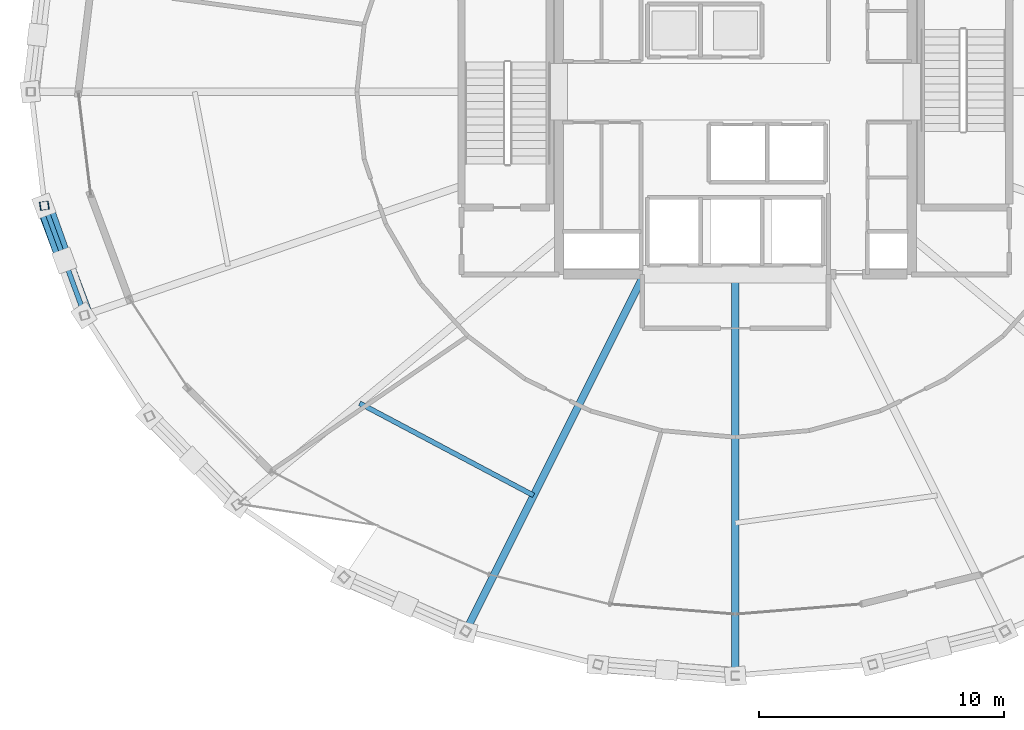
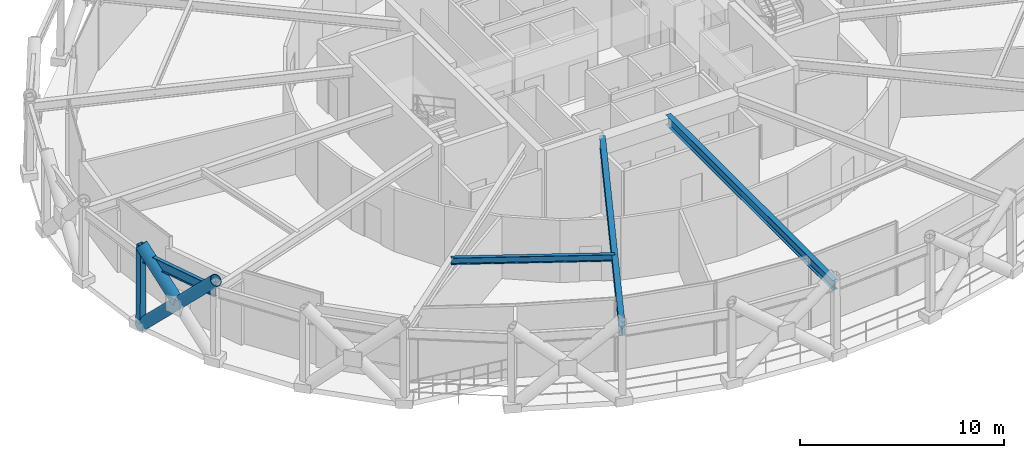
# One storey, part 6 of 39: 4 beams, 3 members.
"""IFC4 building model written with IfcOpenShell, lengths in metres."""

import ifcopenshell
import ifcopenshell.guid

model = None  # the IFC model being written
_history = None  # IfcOwnerHistory: only IFC2X3 demands one
_inside = {}  # id of a spatial element -> (the spatial element, [elements in it])
_under = {}  # id of a project, library or spatial element -> (it, [spatial elements below it])
_declared = {}  # id of a project -> (the project, [libraries it declares])
_typed = {}  # id of a type object -> (the type object, [elements of that type])
_made_of = {}  # id of a material, layer set ... -> (it, [elements and type objects made of it])


def new_model(schema):
    """Start an empty IFC model of exactly this schema.

    Asked for "IFC4X3", IfcOpenShell would pick the latest addendum, in which some entities
    have other attributes; the version numbers below select the first issue.
    IFC2X3 requires an IfcOwnerHistory on every rooted entity: one is made here for all.
    """
    global model, _history
    if schema == "IFC4X3":
        model = ifcopenshell.file(schema_version=(4, 3, 0, 0))
    else:
        model = ifcopenshell.file(schema=schema)
    _inside.clear()
    _under.clear()
    _declared.clear()
    _typed.clear()
    _made_of.clear()
    _history = None
    if model.schema == "IFC2X3":
        org = make("IfcOrganization", Name="unknown")
        user = make(
            "IfcPersonAndOrganization",
            ThePerson=make("IfcPerson", FamilyName="unknown"),
            TheOrganization=org,
        )
        app = make(
            "IfcApplication",
            ApplicationDeveloper=org,
            Version="unknown",
            ApplicationFullName="unknown",
            ApplicationIdentifier="unknown",
        )
        _history = make(
            "IfcOwnerHistory",
            OwningUser=user,
            OwningApplication=app,
            ChangeAction="ADDED",
            CreationDate=0,
        )
    return model


def make(cls, **values):
    """One entity of the class cls with the attributes given. An attribute that is None is left unset."""
    return model.create_entity(
        cls, **{name: value for name, value in values.items() if value is not None}
    )


def rooted(cls, **values):
    """An entity with a GlobalId (a new one), such as an element, a storey or a relation."""
    return make(cls, GlobalId=ifcopenshell.guid.new(), OwnerHistory=_history, **values)


def si_unit(unit_type, name, prefix=None):
    """IfcSIUnit, for example si_unit("LENGTHUNIT", "METRE", prefix="MILLI")."""
    return make("IfcSIUnit", UnitType=unit_type, Prefix=prefix, Name=name)


def assignment(units):
    """IfcUnitAssignment: the units of a project."""
    return None if units is None else make("IfcUnitAssignment", Units=units)


def point(xyz):
    """IfcCartesianPoint."""
    return None if xyz is None else make("IfcCartesianPoint", Coordinates=xyz)


def direction(xyz):
    """IfcDirection."""
    return None if xyz is None else make("IfcDirection", DirectionRatios=xyz)


def frame(location, z_axis=None, x_axis=None):
    """IfcAxis2Placement3D, a coordinate frame: its origin and axes. An axis left out is left unset."""
    return make(
        "IfcAxis2Placement3D",
        Location=point(location),
        Axis=direction(z_axis),
        RefDirection=direction(x_axis),
    )


def frame_2d(location, x_axis=None):
    """IfcAxis2Placement2D, a coordinate frame in the plane: its origin and x axis."""
    return make(
        "IfcAxis2Placement2D", Location=point(location), RefDirection=direction(x_axis)
    )


def origin():
    """The frame at (0, 0, 0) with its axes left unset."""
    return frame((0.0, 0.0, 0.0))


def origin_2d():
    """The frame at (0, 0) in the plane with its x axis left unset."""
    return frame_2d((0.0, 0.0))


def place(relative_to, where):
    """IfcLocalPlacement: puts the frame where relative to a parent placement (None: the world)."""
    return make(
        "IfcLocalPlacement", PlacementRelTo=relative_to, RelativePlacement=where
    )


def context(
    kind, dimensions, precision=None, world=None, true_north=None, identifier=None
):
    """IfcGeometricRepresentationContext, for example the 3D "Model" context."""
    return make(
        "IfcGeometricRepresentationContext",
        ContextIdentifier=identifier,
        ContextType=kind,
        CoordinateSpaceDimension=dimensions,
        Precision=precision,
        WorldCoordinateSystem=world,
        TrueNorth=true_north,
    )


def subcontext(parent, identifier, kind, view, scale=None):
    """IfcGeometricRepresentationSubContext, for example "Body" below "Model"."""
    return make(
        "IfcGeometricRepresentationSubContext",
        ContextIdentifier=identifier,
        ContextType=kind,
        ParentContext=parent,
        TargetScale=scale,
        TargetView=view,
    )


def project(units=None, contexts=None):
    """IfcProject with its units and contexts."""
    return rooted(
        "IfcProject",
        Name="project",
        RepresentationContexts=contexts,
        UnitsInContext=assignment(units),
    )


def spatial(cls, under=None, at=None, **own):
    """A site, building, storey or space (cls), placed at a placement, below another one or the project."""
    s = rooted(cls, ObjectPlacement=at, **own)
    if under is not None:
        _under.setdefault(under.id(), (under, []))[1].append(s)
    return s


def profile(cls, at=None, kind="AREA", **sizes):
    """A parametric profile (cls). Its sizes go by their IFC names, for example OverallWidth=200.0."""
    return make(cls, ProfileType=kind, Position=at, **sizes)


def hollow_rectangle(**sizes):
    """IfcRectangleHollowProfileDef."""
    return profile("IfcRectangleHollowProfileDef", **sizes)


def hollow_circle(**sizes):
    """IfcCircleHollowProfileDef."""
    return profile("IfcCircleHollowProfileDef", **sizes)


def i_section(**sizes):
    """IfcIShapeProfileDef."""
    return profile("IfcIShapeProfileDef", **sizes)


def extrude(swept, where, along, depth):
    """IfcExtrudedAreaSolid: the profile swept, set in the frame where, extruded along a direction by depth."""
    return make(
        "IfcExtrudedAreaSolid",
        SweptArea=swept,
        Position=where,
        ExtrudedDirection=direction(along),
        Depth=depth,
    )


def shape(context_of_items, identifier, shape_type, items):
    """IfcShapeRepresentation: the items that make up one representation, for example the "Body"."""
    return make(
        "IfcShapeRepresentation",
        ContextOfItems=context_of_items,
        RepresentationIdentifier=identifier,
        RepresentationType=shape_type,
        Items=items,
    )


def material(Name=None, Category=None):
    """IfcMaterial."""
    return make("IfcMaterial", Name=Name, Category=Category)


def material_profile(
    of_material, cross_section, Name=None, Category=None, Priority=None
):
    """IfcMaterialProfile: a cross section and its material."""
    return make(
        "IfcMaterialProfile",
        Name=Name,
        Material=of_material,
        Profile=cross_section,
        Priority=Priority,
        Category=Category,
    )


def profile_set(profiles, Name=None, composite=None):
    """IfcMaterialProfileSet."""
    return make(
        "IfcMaterialProfileSet",
        Name=Name,
        MaterialProfiles=profiles,
        CompositeProfile=composite,
    )


def made_of(thing, what):
    """Note that an element or type object is made of a material, layer set ...; save() writes the relation."""
    if what is not None:
        _made_of.setdefault(what.id(), (what, []))[1].append(thing)
    return thing


def type_object(cls, material=None, **own):
    """A type object (cls), such as IfcWallType, which elements share."""
    return made_of(rooted(cls, **own), material)


def element(
    cls,
    number,
    at=None,
    inside=None,
    cuts=None,
    type_object=None,
    material=None,
    context=None,
    identifier="Body",
    shape_type=None,
    held_by="IfcProductDefinitionShape",
    body=None,
    shapes=None,
    **own,
):
    """One element of the class cls, such as IfcWall. Its Tag is "e" and its number.

    at: its placement. inside: the storey or other place that contains it. cuts: it is an
    opening in that element (IfcRelVoidsElement). A single representation is given by context,
    identifier, shape_type and body (its items); several are given by shapes. held_by: the class
    of the entity that holds the representations. save() writes the other relations.
    """
    e = rooted(cls, Tag="e%d" % number, ObjectPlacement=at, **own)
    if body is not None:
        shapes = [shape(context, identifier, shape_type, body)]
    if shapes is not None:
        e.Representation = make(held_by, Representations=shapes)
    if inside is not None:
        _inside.setdefault(inside.id(), (inside, []))[1].append(e)
    if cuts is not None:
        rooted(
            "IfcRelVoidsElement", RelatingBuildingElement=cuts, RelatedOpeningElement=e
        )
    if type_object is not None:
        _typed.setdefault(type_object.id(), (type_object, []))[1].append(e)
    return made_of(e, material)


def aggregate(whole, parts):
    """IfcRelAggregates: a whole, such as a stair, and the parts it consists of."""
    return rooted("IfcRelAggregates", RelatingObject=whole, RelatedObjects=parts)


def save(model, path):
    """Write the relations noted so far, then the file.

    IfcRelAggregates (storeys below a building ...), IfcRelContainedInSpatialStructure (elements
    in a storey), IfcRelDefinesByType, IfcRelAssociatesMaterial and IfcRelDeclares: one each for
    every whole, place, type object, material and project.
    """
    for whole, parts in _under.values():
        aggregate(whole, parts)
    for where, things in _inside.values():
        rooted(
            "IfcRelContainedInSpatialStructure",
            RelatedElements=things,
            RelatingStructure=where,
        )
    for kind, things in _typed.values():
        rooted("IfcRelDefinesByType", RelatedObjects=things, RelatingType=kind)
    for what, things in _made_of.values():
        rooted("IfcRelAssociatesMaterial", RelatedObjects=things, RelatingMaterial=what)
    for by, libraries in _declared.values():
        rooted("IfcRelDeclares", RelatingContext=by, RelatedDefinitions=libraries)
    model.write(path)


model = new_model("IFC4")

# Units and contexts
model_context = context("Model", 3, precision=1e-05, world=origin(), true_north=direction((0.0, 1.0)))
body_context = subcontext(model_context, "Body", "Model", "MODEL_VIEW")
ifc_project = project(units=[si_unit("LENGTHUNIT", "METRE"), si_unit("AREAUNIT", "SQUARE_METRE"), si_unit("VOLUMEUNIT", "CUBIC_METRE"), si_unit("PLANEANGLEUNIT", "RADIAN"), si_unit("MASSUNIT", "GRAM", prefix="KILO")], contexts=[model_context])

# Site, building, storey
site_placement = place(None, origin())
site = spatial("IfcSite", under=ifc_project, at=site_placement, CompositionType="ELEMENT")
building_placement = place(site_placement, origin())
building = spatial("IfcBuilding", under=site, at=building_placement, Name="Veldorina Hangang Commons", CompositionType="ELEMENT")
storey_placement = place(building_placement, frame((0.0, 0.0, 106.0)))
storey = spatial("IfcBuildingStorey", under=building, at=storey_placement, Name="L27", CompositionType="ELEMENT", Elevation=106.0)

# Beams
ifc_material_1 = material(Name="Steel SM460-TMC", Category="steel")
ifc_material_profile_1 = material_profile(ifc_material_1, i_section(OverallWidth=0.300048828125, OverallDepth=0.587890625, WebThickness=0.011962890625, FlangeThickness=0.02001953125, FilletRadius=0.01806640625, at=origin_2d()), Name="H-588x300x12x20")
ifc_profile_set_1 = profile_set([ifc_material_profile_1], Name="Steel SM460-TMC")
beam_type_1 = type_object("IfcBeamType", Name="BM-FG588", PredefinedType="BEAM", material=ifc_profile_set_1)
beam_1_placement = place(storey_placement, frame((28.276123046875, 16.550048828125, 4.14599609375), z_axis=(-0.447087617095, -0.894490169113, 0.0), x_axis=(0.894490169113, -0.447087617095, 0.0)))
element("IfcBeam", 1, at=beam_1_placement, inside=storey, type_object=beam_type_1, Name="L27 radial floor girder 12", PredefinedType="BEAM", context=body_context, shape_type="SweptSolid", body=[
    extrude(i_section(OverallWidth=0.300048828125, OverallDepth=0.587890625, WebThickness=0.011962890625, FlangeThickness=0.02001953125, FilletRadius=0.01806640625, at=origin_2d()), origin(), (0.0, 0.0, 1.0), 16.279296875),
])
beam_2_placement = place(storey_placement, frame((32.0, 16.550048828125, 4.14599609375), z_axis=(0.0, -1.0, 0.0), x_axis=(1.0, 0.0, 0.0)))
element("IfcBeam", 2, at=beam_2_placement, inside=storey, type_object=beam_type_1, Name="L27 radial floor girder 13", PredefinedType="BEAM", context=body_context, shape_type="SweptSolid", body=[
    extrude(i_section(OverallWidth=0.300048828125, OverallDepth=0.587890625, WebThickness=0.011962890625, FlangeThickness=0.02001953125, FilletRadius=0.01806640625, at=origin_2d()), origin(), (0.0, 0.0, 1.0), 16.375244140625),
])
ifc_material_2 = material(Name="Steel SM355-TMC", Category="steel")
ifc_material_profile_2 = material_profile(ifc_material_2, i_section(OverallWidth=0.199951171875, OverallDepth=0.39990234375, WebThickness=0.008056640625, FlangeThickness=0.012939453125, FilletRadius=0.012939453125, at=origin_2d()), Name="H-400x200x8x13")
ifc_profile_set_2 = profile_set([ifc_material_profile_2], Name="Steel SM355-TMC")
beam_type_2 = type_object("IfcBeamType", Name="BM-JST400", PredefinedType="JOIST", material=ifc_profile_set_2)
beam_3_placement = place(storey_placement, frame((16.65966796875, 11.28759765625, 4.239990234375), z_axis=(0.883527790621, -0.468378739057, 0.0), x_axis=(0.468378739057, 0.883527790621, 0.0)))
element("IfcBeam", 3, at=beam_3_placement, inside=storey, type_object=beam_type_2, Name="L27 secondary floor joist 11", PredefinedType="JOIST", context=body_context, shape_type="SweptSolid", body=[
    extrude(i_section(OverallWidth=0.199951171875, OverallDepth=0.39990234375, WebThickness=0.008056640625, FlangeThickness=0.012939453125, FilletRadius=0.012939453125, at=origin_2d()), origin(), (0.0, 0.0, 1.0), 8.040283203125),
])
ifc_material_3 = material(Name="Steel SM420-TMC", Category="steel")
ifc_material_profile_3 = material_profile(ifc_material_3, i_section(OverallWidth=0.199951171875, OverallDepth=0.60009765625, WebThickness=0.010986328125, FlangeThickness=0.01708984375, FilletRadius=0.01806640625, at=origin_2d()), Name="H-600x200x11x17")
ifc_profile_set_3 = profile_set([ifc_material_profile_3], Name="Steel SM420-TMC")
beam_type_3 = type_object("IfcBeamType", Name="BM-RB600", PredefinedType="BEAM", material=ifc_profile_set_3)
beam_4_placement = place(storey_placement, frame((3.802001953125, 19.351806640625, 4.139892578125), z_axis=(0.343748150279, -0.939061877184, 0.0), x_axis=(0.939061877184, 0.343748150279, 0.0)))
element("IfcBeam", 4, at=beam_4_placement, inside=storey, type_object=beam_type_3, Name="L27 perimeter hoop ring beam 17", PredefinedType="BEAM", context=body_context, shape_type="SweptSolid", body=[
    extrude(i_section(OverallWidth=0.199951171875, OverallDepth=0.60009765625, WebThickness=0.010986328125, FlangeThickness=0.01708984375, FilletRadius=0.01806640625, at=origin_2d()), origin(), (0.0, 0.0, 1.0), 4.75927734375),
])

# Members
ifc_material_profile_4 = material_profile(ifc_material_1, hollow_circle(Radius=0.324951171875, WallThickness=0.031982421875, at=origin_2d()), Name="CHS-650x32")
ifc_profile_set_4 = profile_set([ifc_material_profile_4], Name="Steel SM460-TMC")
member_type_1 = type_object("IfcMemberType", Name="DG-CHS650", PredefinedType="BRACE", material=ifc_profile_set_4)
member_1_placement = place(storey_placement, frame((3.770263671875, 19.347412109375, 0.0), z_axis=(0.247252931705, -0.659834381894, 0.709566470624), x_axis=(0.936415447811, 0.350893301589, 0.0)))
element("IfcMember", 5, at=member_1_placement, inside=storey, type_object=member_type_1, Name="L27 continuous perimeter diagrid brace 17", PredefinedType="BRACE", context=body_context, shape_type="SweptSolid", body=[
    extrude(hollow_circle(Radius=0.324951171875, WallThickness=0.031982421875, at=origin_2d()), origin(), (0.0, 0.0, 1.0), 6.7646484375),
])
member_2_placement = place(storey_placement, frame((4.60693359375, 17.114501953125, 2.4013671875), z_axis=(-0.236859149405, 0.662786270634, 0.710360544232), x_axis=(-0.94167449433, -0.336525105643, 0.0)))
element("IfcMember", 6, at=member_2_placement, inside=storey, type_object=member_type_1, Name="L27 split perimeter diagrid upper brace 18", PredefinedType="BRACE", context=body_context, shape_type="SweptSolid", body=[
    extrude(hollow_circle(Radius=0.324951171875, WallThickness=0.031982421875, at=origin_2d()), origin(), (0.0, 0.0, 1.0), 3.376708984375),
])
ifc_material_profile_5 = material_profile(ifc_material_2, hollow_rectangle(XDim=0.35009765625, YDim=0.35009765625, WallThickness=0.01611328125, at=origin_2d()), Name="SHS-350x350x16")
ifc_profile_set_5 = profile_set([ifc_material_profile_5], Name="Steel SM355-TMC")
member_type_2 = type_object("IfcMemberType", Name="STR-SHS350", PredefinedType="STRUT", material=ifc_profile_set_5)
member_3_placement = place(storey_placement, frame((3.770263671875, 19.347412109375, 0.0), z_axis=(0.007679948156, 0.00106807226, 0.999969938357), x_axis=(-0.137747125984, 0.990467429693, 0.0)))
element("IfcMember", 7, at=member_3_placement, inside=storey, type_object=member_type_2, Name="L27 perimeter ring node post 17", PredefinedType="STRUT", context=body_context, shape_type="SweptSolid", body=[
    extrude(hollow_rectangle(XDim=0.35009765625, YDim=0.35009765625, WallThickness=0.01611328125, at=origin_2d()), origin(), (0.0, 0.0, 1.0), 4.80029296875),
])

save(model, "model.ifc")
